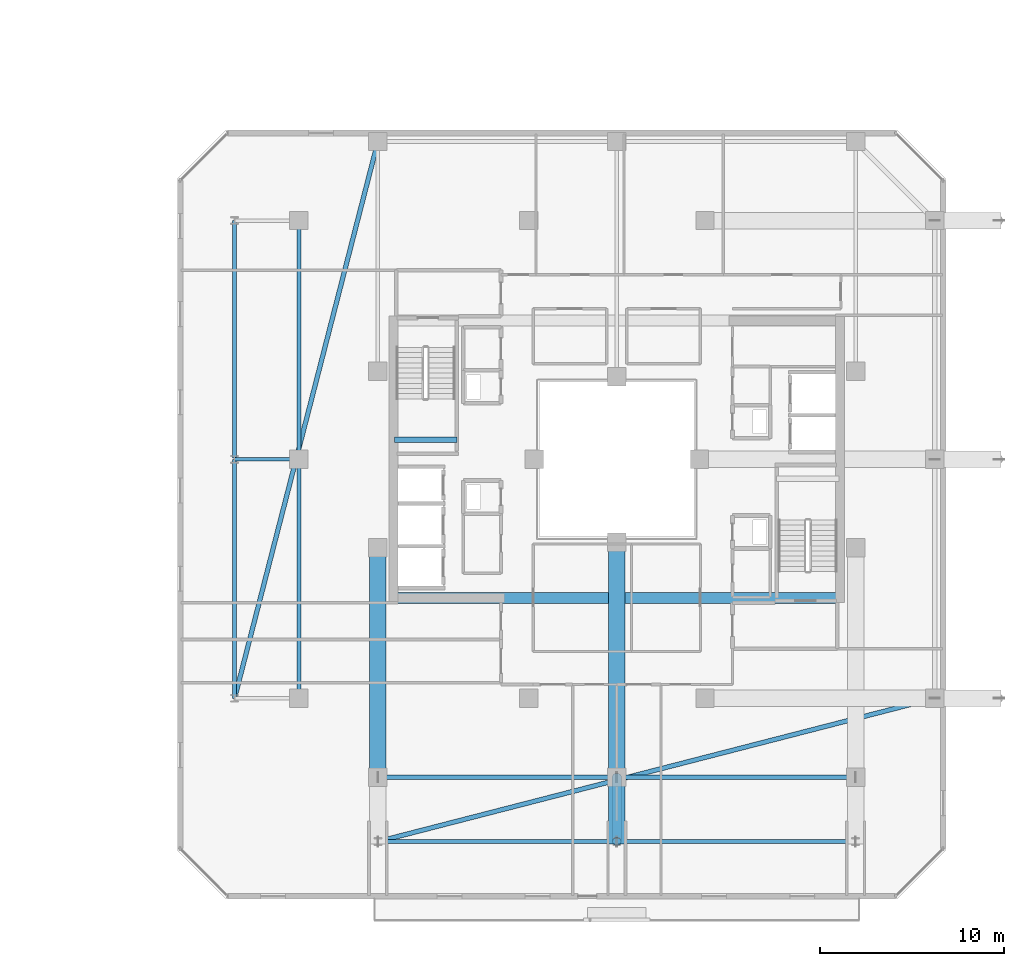
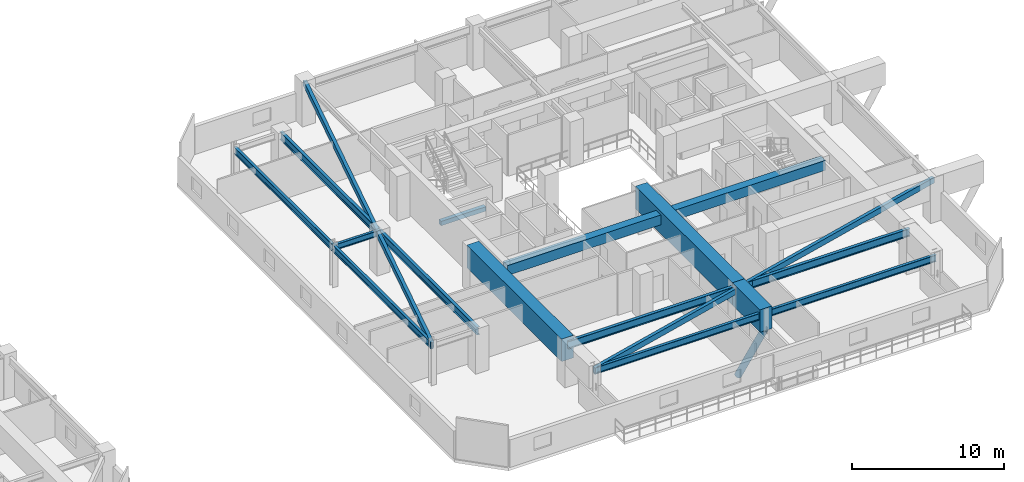
# One storey, part 12 of 35: 16 beams, 1 member.
"""IFC4 building model written with IfcOpenShell, lengths in metres."""

from ifc_helpers import new_model, si_unit, direction, frame, origin, origin_2d, place, context, subcontext, project, spatial, rectangle, hollow_rectangle, hollow_circle, i_section, extrude, material, material_profile, profile_set, type_object, element, save


model = new_model("IFC4")

# Units and contexts
model_context = context("Model", 3, precision=1e-05, world=origin(), true_north=direction((0.0, 1.0)))
body_context = subcontext(model_context, "Body", "Model", "MODEL_VIEW")
ifc_project = project(units=[si_unit("LENGTHUNIT", "METRE"), si_unit("AREAUNIT", "SQUARE_METRE"), si_unit("VOLUMEUNIT", "CUBIC_METRE"), si_unit("PLANEANGLEUNIT", "RADIAN"), si_unit("MASSUNIT", "GRAM", prefix="KILO")], contexts=[model_context])

# Site, building, storey
site_placement = place(None, origin())
site = spatial("IfcSite", under=ifc_project, at=site_placement, CompositionType="ELEMENT")
building_placement = place(site_placement, origin())
building = spatial("IfcBuilding", under=site, at=building_placement, Name="Thornwick Lancets Civic Towers", CompositionType="ELEMENT")
storey_placement = place(building_placement, frame((0.0, 0.0, 225.89990234375)))
storey = spatial("IfcBuildingStorey", under=building, at=storey_placement, Name="L60", CompositionType="ELEMENT", Elevation=225.89990234375)

# Beams
ifc_material_1 = material(Name="Concrete C60/75", Category="concrete")
ifc_material_profile_1 = material_profile(ifc_material_1, rectangle(XDim=0.60009765625, YDim=0.800048828125, at=origin_2d()), Name="RC 600x800")
ifc_profile_set_1 = profile_set([ifc_material_profile_1], Name="Concrete C60/75")
beam_type_1 = type_object("IfcBeamType", Name="BM_COUP_RC800", PredefinedType="BEAM", material=ifc_profile_set_1)
beam_1_placement = place(storey_placement, frame((76.39990234375, 19.449951171875, 2.920166015625), z_axis=(1.0, 0.0, 0.0), x_axis=(0.0, 1.0, 0.0)))
element("IfcBeam", 1, at=beam_1_placement, inside=storey, type_object=beam_type_1, Name="CB-L60-B2", PredefinedType="BEAM", context=body_context, shape_type="SweptSolid", body=[
    extrude(rectangle(XDim=0.60009765625, YDim=0.800048828125, at=origin_2d()), origin(), (0.0, 0.0, 1.0), 24.2001953125),
])
ifc_material_2 = material(Name="Steel S355JR", Category="steel")
ifc_material_profile_2 = material_profile(ifc_material_2, i_section(OverallWidth=0.210693359375, OverallDepth=0.53955078125, WebThickness=0.01171875, FlangeThickness=0.018798828125, FilletRadius=0.0126953125, at=origin_2d()), Name="UKB 533x210x109")
ifc_profile_set_2 = profile_set([ifc_material_profile_2], Name="Steel S355JR")
beam_type_2 = type_object("IfcBeamType", Name="BM_EDGE_533_109", PredefinedType="SPANDREL", material=ifc_profile_set_2)
beam_2_placement = place(storey_placement, frame((67.699951171875, 14.0, 3.05029296875), z_axis=(0.0, 1.0, 0.0), x_axis=(-1.0, 0.0, 0.0)))
element("IfcBeam", 2, at=beam_2_placement, inside=storey, type_object=beam_type_2, Name="BM-EDGE-L60-B-S2-1", PredefinedType="SPANDREL", context=body_context, shape_type="SweptSolid", body=[
    extrude(i_section(OverallWidth=0.210693359375, OverallDepth=0.53955078125, WebThickness=0.01171875, FlangeThickness=0.018798828125, FilletRadius=0.0126953125, at=origin_2d()), origin(), (0.0, 0.0, 1.0), 13.0),
])
beam_3_placement = place(storey_placement, frame((67.699951171875, 27.080078125, 3.05029296875), z_axis=(0.0, 1.0, 0.0), x_axis=(-1.0, 0.0, 0.0)))
element("IfcBeam", 3, at=beam_3_placement, inside=storey, type_object=beam_type_2, Name="BM-EDGE-L60-B-S2-2", PredefinedType="SPANDREL", context=body_context, shape_type="SweptSolid", body=[
    extrude(i_section(OverallWidth=0.210693359375, OverallDepth=0.53955078125, WebThickness=0.01171875, FlangeThickness=0.018798828125, FilletRadius=0.0126953125, at=origin_2d()), origin(), (0.0, 0.0, 1.0), 12.919921875),
])
beam_4_placement = place(storey_placement, frame((101.5, 6.199951171875, 3.05029296875), z_axis=(-1.0, 0.0, 0.0), x_axis=(0.0, -1.0, 0.0)))
element("IfcBeam", 4, at=beam_4_placement, inside=storey, type_object=beam_type_2, Name="BM-EDGE-L60-B-S3-1", PredefinedType="SPANDREL", context=body_context, shape_type="SweptSolid", body=[
    extrude(i_section(OverallWidth=0.210693359375, OverallDepth=0.53955078125, WebThickness=0.01171875, FlangeThickness=0.018798828125, FilletRadius=0.0126953125, at=origin_2d()), origin(), (0.0, 0.0, 1.0), 13.0),
])
beam_5_placement = place(storey_placement, frame((88.419921875, 6.199951171875, 3.05029296875), z_axis=(-1.0, 0.0, 0.0), x_axis=(0.0, -1.0, 0.0)))
element("IfcBeam", 5, at=beam_5_placement, inside=storey, type_object=beam_type_2, Name="BM-EDGE-L60-B-S3-2", PredefinedType="SPANDREL", context=body_context, shape_type="SweptSolid", body=[
    extrude(i_section(OverallWidth=0.210693359375, OverallDepth=0.53955078125, WebThickness=0.01171875, FlangeThickness=0.018798828125, FilletRadius=0.0126953125, at=origin_2d()), origin(), (0.0, 0.0, 1.0), 12.919921875),
])
ifc_material_profile_3 = material_profile(ifc_material_2, i_section(OverallWidth=0.230224609375, OverallDepth=0.6171875, WebThickness=0.01318359375, FlangeThickness=0.022216796875, FilletRadius=0.0126953125, at=origin_2d()), Name="UKB 610x229x140")
ifc_profile_set_3 = profile_set([ifc_material_profile_3], Name="Steel S355JR")
beam_type_3 = type_object("IfcBeamType", Name="BM_GIRD_610_140", PredefinedType="BEAM", material=ifc_profile_set_3)
beam_6_placement = place(storey_placement, frame((71.199951171875, 14.0, 3.011474609375), z_axis=(0.0, 1.0, 0.0), x_axis=(-1.0, 0.0, 0.0)))
element("IfcBeam", 6, at=beam_6_placement, inside=storey, type_object=beam_type_3, Name="BM-SPINE-L60-B-6-7", PredefinedType="BEAM", context=body_context, shape_type="SweptSolid", body=[
    extrude(i_section(OverallWidth=0.230224609375, OverallDepth=0.6171875, WebThickness=0.01318359375, FlangeThickness=0.022216796875, FilletRadius=0.0126953125, at=origin_2d()), origin(), (0.0, 0.0, 1.0), 13.0),
])
beam_7_placement = place(storey_placement, frame((71.199951171875, 27.080078125, 3.011474609375), z_axis=(0.0, 1.0, 0.0), x_axis=(-1.0, 0.0, 0.0)))
element("IfcBeam", 7, at=beam_7_placement, inside=storey, type_object=beam_type_3, Name="BM-SPINE-L60-B-7-8", PredefinedType="BEAM", context=body_context, shape_type="SweptSolid", body=[
    extrude(i_section(OverallWidth=0.230224609375, OverallDepth=0.6171875, WebThickness=0.01318359375, FlangeThickness=0.022216796875, FilletRadius=0.0126953125, at=origin_2d()), origin(), (0.0, 0.0, 1.0), 12.919921875),
])
beam_8_placement = place(storey_placement, frame((101.5, 9.699951171875, 3.011474609375), z_axis=(-1.0, 0.0, 0.0), x_axis=(0.0, -1.0, 0.0)))
element("IfcBeam", 8, at=beam_8_placement, inside=storey, type_object=beam_type_3, Name="BM-SPINE-L60-B-9-10", PredefinedType="BEAM", context=body_context, shape_type="SweptSolid", body=[
    extrude(i_section(OverallWidth=0.230224609375, OverallDepth=0.6171875, WebThickness=0.01318359375, FlangeThickness=0.022216796875, FilletRadius=0.0126953125, at=origin_2d()), origin(), (0.0, 0.0, 1.0), 13.0),
])
beam_9_placement = place(storey_placement, frame((88.419921875, 9.699951171875, 3.011474609375), z_axis=(-1.0, 0.0, 0.0), x_axis=(0.0, -1.0, 0.0)))
element("IfcBeam", 9, at=beam_9_placement, inside=storey, type_object=beam_type_3, Name="BM-SPINE-L60-B-10-11", PredefinedType="BEAM", context=body_context, shape_type="SweptSolid", body=[
    extrude(i_section(OverallWidth=0.230224609375, OverallDepth=0.6171875, WebThickness=0.01318359375, FlangeThickness=0.022216796875, FilletRadius=0.0126953125, at=origin_2d()), origin(), (0.0, 0.0, 1.0), 12.919921875),
])
ifc_material_profile_4 = material_profile(ifc_material_2, i_section(OverallWidth=0.19189453125, OverallDepth=0.46337890625, WebThickness=0.010498046875, FlangeThickness=0.017578125, FilletRadius=0.01025390625, at=origin_2d()), Name="UKB 457x191x89")
ifc_profile_set_4 = profile_set([ifc_material_profile_4], Name="Steel S355JR")
beam_type_4 = type_object("IfcBeamType", Name="BM_JOIST_457_89", PredefinedType="JOIST", material=ifc_profile_set_4)
beam_10_placement = place(storey_placement, frame((71.199951171875, 27.0, 3.08837890625), z_axis=(-1.0, 0.0, 0.0), x_axis=(0.0, -1.0, 0.0)))
element("IfcBeam", 10, at=beam_10_placement, inside=storey, type_object=beam_type_4, Name="BM-RAD-L60-B08", PredefinedType="JOIST", context=body_context, shape_type="SweptSolid", body=[
    extrude(i_section(OverallWidth=0.19189453125, OverallDepth=0.46337890625, WebThickness=0.010498046875, FlangeThickness=0.017578125, FilletRadius=0.01025390625, at=origin_2d()), origin(), (0.0, 0.0, 1.0), 3.5),
])
ifc_material_profile_5 = material_profile(ifc_material_2, hollow_rectangle(XDim=0.25, YDim=0.449951171875, WallThickness=0.01611328125, at=origin_2d()), Name="RHS 450x250x16")
ifc_profile_set_5 = profile_set([ifc_material_profile_5], Name="Steel S355JR")
beam_type_5 = type_object("IfcBeamType", Name="BM_RING_RHS450", PredefinedType="BEAM", material=ifc_profile_set_5)
for number, where, z_axis, x_axis, name in (
    (11, (75.5, 44.300048828125, 3.09521484375), (-0.249299080716, -0.96842654257, 0.0), (0.96842654257, -0.249299080716, 0.0), "BM-CHAMF-L60-B-C1"),
    (12, (75.5, 6.199951171875, 3.09521484375), (0.96842654257, 0.249299080716, 0.0), (-0.249299080716, 0.96842654257, 0.0), "BM-CHAMF-L60-B-C3"),
):
    element("IfcBeam", number, at=place(storey_placement, frame(where, z_axis=z_axis, x_axis=x_axis)), inside=storey, type_object=beam_type_5, Name=name, PredefinedType="BEAM", context=body_context, shape_type="SweptSolid", body=[
        extrude(hollow_rectangle(XDim=0.25, YDim=0.449951171875, WallThickness=0.01611328125, at=origin_2d()), origin(), (0.0, 0.0, 1.0), 31.287841796875),
    ])
ifc_material_3 = material(Name="Concrete C40/50", Category="concrete")
ifc_material_profile_6 = material_profile(ifc_material_3, rectangle(XDim=0.300048828125, YDim=0.35009765625, at=origin_2d()), Name="RC 300x350")
ifc_profile_set_6 = profile_set([ifc_material_profile_6], Name="Concrete C40/50")
beam_type_6 = type_object("IfcBeamType", Name="BM_STAIR_LDG", PredefinedType="BEAM", material=ifc_profile_set_6)
beam_11_placement = place(storey_placement, frame((76.39990234375, 28.06494140625, 1.378173828125), z_axis=(1.0, 0.0, 0.0), x_axis=(0.0, 1.0, 0.0)))
element("IfcBeam", 13, at=beam_11_placement, inside=storey, type_object=beam_type_6, Name="L60 ST-B2 Landing Support Beam 1", PredefinedType="BEAM", context=body_context, shape_type="SweptSolid", body=[
    extrude(rectangle(XDim=0.300048828125, YDim=0.35009765625, at=origin_2d()), origin(), (0.0, 0.0, 1.0), 3.400146484375),
])
ifc_material_profile_7 = material_profile(ifc_material_1, rectangle(XDim=0.89990234375, YDim=1.800048828125, at=origin_2d()), Name="RC 900x1800")
ifc_profile_set_7 = profile_set([ifc_material_profile_7], Name="Concrete C60/75")
beam_type_7 = type_object("IfcBeamType", Name="BM_TR_RC1800", PredefinedType="BEAM", material=ifc_profile_set_7)
beam_12_placement = place(storey_placement, frame((88.5, 22.5, 2.7001953125), z_axis=(0.0, -1.0, 0.0), x_axis=(1.0, 0.0, 0.0)))
element("IfcBeam", 14, at=beam_12_placement, inside=storey, type_object=beam_type_7, Name="TG-BACK-L61-B11", PredefinedType="BEAM", context=body_context, shape_type="SweptSolid", body=[
    extrude(rectangle(XDim=0.89990234375, YDim=1.800048828125, at=origin_2d()), origin(), (0.0, 0.0, 1.0), 12.800048828125),
])
beam_13_placement = place(storey_placement, frame((88.5, 9.699951171875, 2.7001953125), z_axis=(0.0, -1.0, 0.0), x_axis=(1.0, 0.0, 0.0)))
element("IfcBeam", 15, at=beam_13_placement, inside=storey, type_object=beam_type_7, Name="TG-CANT-L61-B11", PredefinedType="BEAM", context=body_context, shape_type="SweptSolid", body=[
    extrude(rectangle(XDim=0.89990234375, YDim=1.800048828125, at=origin_2d()), origin(), (0.0, 0.0, 1.0), 3.619873046875),
])
beam_14_placement = place(storey_placement, frame((75.5, 22.199951171875, 2.7001953125), z_axis=(0.0, -1.0, 0.0), x_axis=(1.0, 0.0, 0.0)))
element("IfcBeam", 16, at=beam_14_placement, inside=storey, type_object=beam_type_7, Name="TG-BACK-L61-B12", PredefinedType="BEAM", context=body_context, shape_type="SweptSolid", body=[
    extrude(rectangle(XDim=0.89990234375, YDim=1.800048828125, at=origin_2d()), origin(), (0.0, 0.0, 1.0), 12.5),
])

# Member
ifc_material_4 = material(Name="Steel S460M", Category="steel")
ifc_material_profile_8 = material_profile(ifc_material_4, hollow_circle(Radius=0.25390625, WallThickness=0.02490234375, at=origin_2d()), Name="CHS 508x25")
ifc_profile_set_8 = profile_set([ifc_material_profile_8], Name="Steel S460M")
member_type = type_object("IfcMemberType", Name="MEM_STRUT_CHS508", PredefinedType="STRUT", material=ifc_profile_set_8)
member_placement = place(storey_placement, frame((88.5, 9.699951171875, -3.949951171875), z_axis=(0.0, -0.514706934567, 0.857366182858), x_axis=(1.0, 0.0, 0.0)))
element("IfcMember", 17, at=member_placement, inside=storey, type_object=member_type, Name="L61 Jenga Transfer Raking Strut B11", PredefinedType="STRUT", context=body_context, shape_type="SweptSolid", body=[
    extrude(hollow_circle(Radius=0.25390625, WallThickness=0.02490234375, at=origin_2d()), origin(), (0.0, 0.0, 1.0), 6.800048828125),
])

save(model, "model.ifc")
